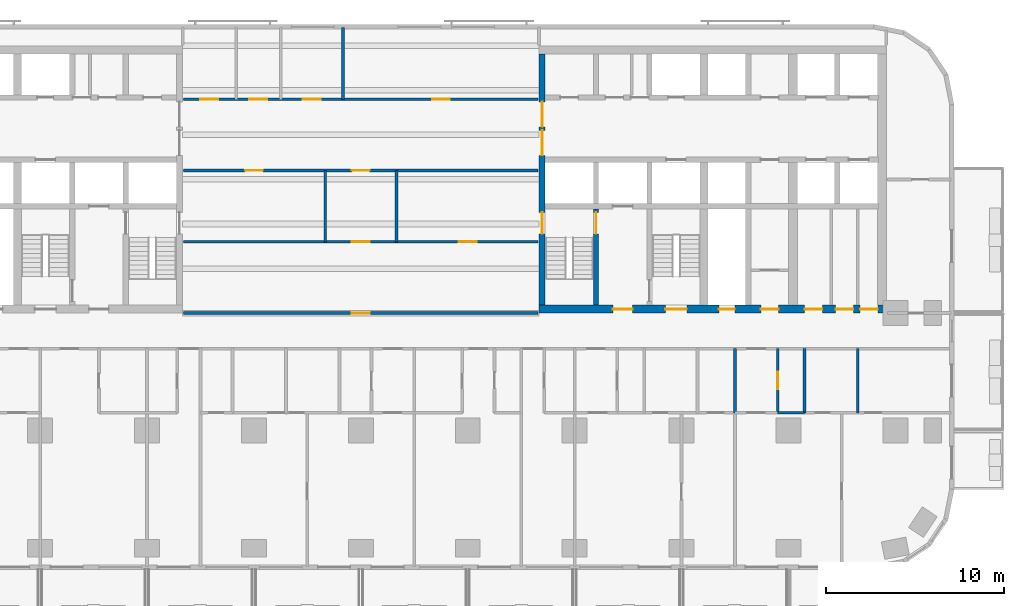
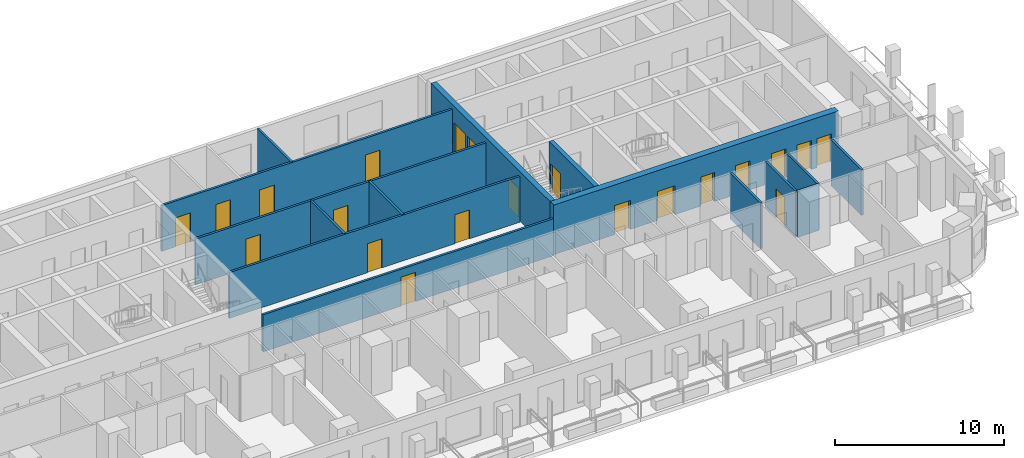
# One storey, part 7 of 15: 21 doors, 15 walls, 21 openings.
"""IFC4 building model written with IfcOpenShell, lengths in metres."""

from ifc_helpers import new_model, si_unit, direction, frame, frame_2d, origin, place, context, subcontext, project, spatial, rectangle, extrude, material, layer, layer_set, type_object, element, fill, save


model = new_model("IFC4")

# Units and contexts
model_context = context("Model", 3, precision=1e-05, world=origin(), true_north=direction((0.0, 1.0)))
body_context = subcontext(model_context, "Body", "Model", "MODEL_VIEW")
ifc_project = project(units=[si_unit("LENGTHUNIT", "METRE"), si_unit("AREAUNIT", "SQUARE_METRE"), si_unit("VOLUMEUNIT", "CUBIC_METRE"), si_unit("PLANEANGLEUNIT", "RADIAN"), si_unit("MASSUNIT", "GRAM", prefix="KILO")], contexts=[model_context])

# Site, building, storey
site_placement = place(None, origin())
site = spatial("IfcSite", under=ifc_project, at=site_placement, CompositionType="ELEMENT")
building_placement = place(site_placement, origin())
building = spatial("IfcBuilding", under=site, at=building_placement, Name="Torana Hotel and Residences", CompositionType="ELEMENT")
storey_placement = place(building_placement, frame((0.0, 0.0, 88.800048828125)))
storey = spatial("IfcBuildingStorey", under=building, at=storey_placement, Name="L22", CompositionType="ELEMENT", Elevation=88.800048828125)

# Wall, opening, door
ifc_material_1 = material(Name="Concrete C80/95", Category="concrete")
ifc_layer_1 = layer(ifc_material_1, 0.300048828125)
ifc_layer_set_1 = layer_set([ifc_layer_1], Name="CORE WALL 300 C80/95")
wall_type_1 = type_object("IfcWallType", Name="CORE WALL 300 C80/95", PredefinedType="SHEAR", material=ifc_layer_set_1)
wall_1_placement = place(storey_placement, frame((13.199951171875, -14.550048828125, 0.0), z_axis=(0.0, 0.0, 1.0), x_axis=(0.0, 1.0, 0.0)))
wall_1 = element("IfcWall", 1, at=wall_1_placement, inside=storey, type_object=wall_type_1, Name="Core wall E x3.05-band", PredefinedType="SHEAR", context=body_context, shape_type="SweptSolid", body=[
    extrude(rectangle(XDim=5.400146484375, YDim=0.300048828125, at=frame_2d((2.7001953125, 0.0))), origin(), (0.0, 0.0, 1.0), 3.599853515625),
])
opening_1_placement = place(wall_1_placement, frame((4.0, 0.0, 0.0)))
opening_1 = element("IfcOpeningElement", 2, at=opening_1_placement, cuts=wall_1, Name="Opening L22-35", PredefinedType="OPENING", context=body_context, shape_type="SweptSolid", body=[
    extrude(rectangle(XDim=1.199951171875, YDim=2.10009765625, at=frame_2d((0.60009765625, 1.050048828125))), frame((0.0, 0.159912109375, 0.0), z_axis=(0.0, -1.0, 0.0), x_axis=(1.0, 0.0, 0.0)), (0.0, 0.0, 1.0), 0.320068359375),
])
ifc_material_2 = material(Name="Steel S235", Category="steel")
door_type_1 = type_object("IfcDoorType", Name="STAIR FIRE DOOR D3 1200x2100", OperationType="SINGLE_SWING_LEFT", PredefinedType="DOOR", material=ifc_material_2)
door_1_placement = place(opening_1_placement, origin())
door_1 = element("IfcDoor", 3, at=door_1_placement, inside=storey, type_object=door_type_1, Name="Stair-A-lobby door L22", OperationType="SINGLE_SWING_LEFT", OverallHeight=2.10009765625, OverallWidth=1.199951171875, PredefinedType="DOOR", context=body_context, shape_type="SweptSolid", body=[
    extrude(rectangle(XDim=1.199951171875, YDim=2.10009765625, at=frame_2d((0.60009765625, 1.050048828125))), frame((0.0, 0.02490234375, 0.0), z_axis=(0.0, -1.0, 0.0), x_axis=(1.0, 0.0, 0.0)), (0.0, 0.0, 1.0), 0.050048828125),
])
fill(opening_1, door_1)

# Wall, openings, doors
ifc_material_3 = material(Name="Concrete C80/95", Category="concrete")
ifc_layer_2 = layer(ifc_material_3, 0.35009765625)
ifc_layer_set_2 = layer_set([ifc_layer_2], Name="CORE WALL 350 C80/95")
wall_type_2 = type_object("IfcWallType", Name="CORE WALL 350 C80/95", PredefinedType="SHEAR", material=ifc_layer_set_2)
wall_2_placement = place(storey_placement, frame((10.175048828125, -14.550048828125, 0.0), z_axis=(0.0, 0.0, 1.0), x_axis=(0.0, 1.0, 0.0)))
wall_2 = element("IfcWall", 4, at=wall_2_placement, inside=storey, type_object=wall_type_2, Name="Core wall E arch", PredefinedType="SHEAR", context=body_context, shape_type="SweptSolid", body=[
    extrude(rectangle(XDim=14.10009765625, YDim=0.35009765625, at=frame_2d((7.050048828125, 0.0))), origin(), (0.0, 0.0, 1.0), 3.599853515625),
])
opening_2_placement = place(wall_2_placement, frame((8.39990234375, 0.0, 0.0)))
opening_2 = element("IfcOpeningElement", 5, at=opening_2_placement, cuts=wall_2, Name="Opening L22-19", PredefinedType="OPENING", context=body_context, shape_type="SweptSolid", body=[
    extrude(rectangle(XDim=1.39990234375, YDim=2.39990234375, at=frame_2d((0.699951171875, 1.199951171875))), frame((0.0, 0.18505859375, 0.0), z_axis=(0.0, -1.0, 0.0), x_axis=(1.0, 0.0, 0.0)), (0.0, 0.0, 1.0), 0.3701171875),
])
opening_3_placement = place(wall_2_placement, frame((10.0, 0.0, 0.0)))
opening_3 = element("IfcOpeningElement", 6, at=opening_3_placement, cuts=wall_2, Name="Opening L22-20", PredefinedType="OPENING", context=body_context, shape_type="SweptSolid", body=[
    extrude(rectangle(XDim=1.39990234375, YDim=2.39990234375, at=frame_2d((0.699951171875, 1.199951171875))), frame((0.0, 0.18505859375, 0.0), z_axis=(0.0, -1.0, 0.0), x_axis=(1.0, 0.0, 0.0)), (0.0, 0.0, 1.0), 0.3701171875),
])
opening_4_placement = place(wall_2_placement, frame((4.0, 0.0, 0.0)))
opening_4 = element("IfcOpeningElement", 7, at=opening_4_placement, cuts=wall_2, Name="Opening L22-21", PredefinedType="OPENING", context=body_context, shape_type="SweptSolid", body=[
    extrude(rectangle(XDim=1.199951171875, YDim=2.10009765625, at=frame_2d((0.60009765625, 1.050048828125))), frame((0.0, 0.18505859375, 0.0), z_axis=(0.0, -1.0, 0.0), x_axis=(1.0, 0.0, 0.0)), (0.0, 0.0, 1.0), 0.3701171875),
])
ifc_material_4 = material(Name="Steel S235", Category="steel")
door_type_2 = type_object("IfcDoorType", Name="LOBBY FIRE DOOR D4 1400x2400", OperationType="DOUBLE_DOOR_SINGLE_SWING", PredefinedType="DOOR", material=ifc_material_4)
door_2_placement = place(opening_2_placement, origin())
door_2 = element("IfcDoor", 8, at=door_2_placement, inside=storey, type_object=door_type_2, Name="Lobby-1 door L22", OperationType="DOUBLE_DOOR_SINGLE_SWING", OverallHeight=2.39990234375, OverallWidth=1.39990234375, PredefinedType="DOOR", context=body_context, shape_type="SweptSolid", body=[
    extrude(rectangle(XDim=1.39990234375, YDim=2.39990234375, at=frame_2d((0.699951171875, 1.199951171875))), frame((0.0, 0.02490234375, 0.0), z_axis=(0.0, -1.0, 0.0), x_axis=(1.0, 0.0, 0.0)), (0.0, 0.0, 1.0), 0.050048828125),
])
fill(opening_2, door_2)
door_3_placement = place(opening_3_placement, origin())
door_3 = element("IfcDoor", 9, at=door_3_placement, inside=storey, type_object=door_type_2, Name="Lobby-2 door L22", OperationType="DOUBLE_DOOR_SINGLE_SWING", OverallHeight=2.39990234375, OverallWidth=1.39990234375, PredefinedType="DOOR", context=body_context, shape_type="SweptSolid", body=[
    extrude(rectangle(XDim=1.39990234375, YDim=2.39990234375, at=frame_2d((0.699951171875, 1.199951171875))), frame((0.0, 0.02490234375, 0.0), z_axis=(0.0, -1.0, 0.0), x_axis=(1.0, 0.0, 0.0)), (0.0, 0.0, 1.0), 0.050048828125),
])
fill(opening_3, door_3)
door_4_placement = place(opening_4_placement, frame((0.60009765625, 0.0, 0.0), z_axis=(0.0, 0.0, 1.0), x_axis=(-1.0, 0.0, 0.0)))
door_4 = element("IfcDoor", 10, at=door_4_placement, inside=storey, type_object=door_type_1, Name="Stair-A door L22", OperationType="SINGLE_SWING_RIGHT", OverallHeight=2.10009765625, OverallWidth=1.199951171875, PredefinedType="DOOR", context=body_context, shape_type="SweptSolid", body=[
    extrude(rectangle(XDim=1.199951171875, YDim=2.10009765625, at=frame_2d((0.0, 1.050048828125))), frame((0.0, -0.02490234375, 0.0), z_axis=(0.0, 1.0, 0.0), x_axis=(-1.0, 0.0, 0.0)), (0.0, 0.0, 1.0), 0.050048828125),
])
fill(opening_4, door_4)

ifc_material_5 = material(Name="Concrete C80/95", Category="concrete")
ifc_layer_3 = layer(ifc_material_5, 0.449951171875)
ifc_layer_set_3 = layer_set([ifc_layer_3], Name="CORE WALL 450 C80/95")
wall_type_3 = type_object("IfcWallType", Name="CORE WALL 450 C80/95", PredefinedType="SHEAR", material=ifc_layer_set_3)
wall_3_placement = place(storey_placement, frame((10.0, -14.77490234375, 0.0), z_axis=(0.0, 0.0, 1.0), x_axis=(1.0, 0.0, 0.0)))
wall_3 = element("IfcWall", 11, at=wall_3_placement, inside=storey, type_object=wall_type_3, Name="Core wall E front", PredefinedType="SHEAR", context=body_context, shape_type="SweptSolid", body=[
    extrude(rectangle(XDim=19.5, YDim=0.449951171875, at=frame_2d((9.75, 0.0))), origin(), (0.0, 0.0, 1.0), 3.599853515625),
])
opening_5_placement = place(wall_3_placement, frame((7.10009765625, 0.0, 0.0)))
opening_5 = element("IfcOpeningElement", 12, at=opening_5_placement, cuts=wall_3, Name="Opening L22-22", PredefinedType="OPENING", context=body_context, shape_type="SweptSolid", body=[
    extrude(rectangle(XDim=1.199951171875, YDim=2.10009765625, at=frame_2d((0.60009765625, 1.050048828125))), frame((0.0, 0.23486328125, 0.0), z_axis=(0.0, -1.0, 0.0), x_axis=(1.0, 0.0, 0.0)), (0.0, 0.0, 1.0), 0.469970703125),
])
opening_6_placement = place(wall_3_placement, frame((4.14990234375, 0.0, 0.0)))
opening_6 = element("IfcOpeningElement", 13, at=opening_6_placement, cuts=wall_3, Name="Opening L22-23", PredefinedType="OPENING", context=body_context, shape_type="SweptSolid", body=[
    extrude(rectangle(XDim=1.10009765625, YDim=2.10009765625, at=frame_2d((0.550048828125, 1.050048828125))), frame((0.0, 0.23486328125, 0.0), z_axis=(0.0, -1.0, 0.0), x_axis=(1.0, 0.0, 0.0)), (0.0, 0.0, 1.0), 0.469970703125),
])
opening_7_placement = place(wall_3_placement, frame((10.10009765625, 0.0, 0.0)))
opening_7 = element("IfcOpeningElement", 14, at=opening_7_placement, cuts=wall_3, Name="Opening L22-24", PredefinedType="OPENING", context=body_context, shape_type="SweptSolid", body=[
    extrude(rectangle(XDim=0.89990234375, YDim=2.10009765625, at=frame_2d((0.449951171875, 1.050048828125))), frame((0.0, 0.23486328125, 0.0), z_axis=(0.0, -1.0, 0.0), x_axis=(1.0, 0.0, 0.0)), (0.0, 0.0, 1.0), 0.469970703125),
])
opening_8_placement = place(wall_3_placement, frame((12.449951171875, 0.0, 0.0)))
opening_8 = element("IfcOpeningElement", 15, at=opening_8_placement, cuts=wall_3, Name="Opening L22-25", PredefinedType="OPENING", context=body_context, shape_type="SweptSolid", body=[
    extrude(rectangle(XDim=1.0, YDim=2.10009765625, at=frame_2d((0.5, 1.050048828125))), frame((0.0, 0.23486328125, 0.0), z_axis=(0.0, -1.0, 0.0), x_axis=(1.0, 0.0, 0.0)), (0.0, 0.0, 1.0), 0.469970703125),
])
opening_9_placement = place(wall_3_placement, frame((14.91259765625, 0.0, 0.0)))
opening_9 = element("IfcOpeningElement", 16, at=opening_9_placement, cuts=wall_3, Name="Opening L22-26", PredefinedType="OPENING", context=body_context, shape_type="SweptSolid", body=[
    extrude(rectangle(XDim=1.0, YDim=2.10009765625, at=frame_2d((0.5, 1.050048828125))), frame((0.0, 0.23486328125, 0.0), z_axis=(0.0, -1.0, 0.0), x_axis=(1.0, 0.0, 0.0)), (0.0, 0.0, 1.0), 0.469970703125),
])
opening_10_placement = place(wall_3_placement, frame((16.64990234375, 0.0, 0.0)))
opening_10 = element("IfcOpeningElement", 17, at=opening_10_placement, cuts=wall_3, Name="Opening L22-27", PredefinedType="OPENING", context=body_context, shape_type="SweptSolid", body=[
    extrude(rectangle(XDim=1.0, YDim=2.10009765625, at=frame_2d((0.5, 1.050048828125))), frame((0.0, 0.23486328125, 0.0), z_axis=(0.0, -1.0, 0.0), x_axis=(1.0, 0.0, 0.0)), (0.0, 0.0, 1.0), 0.469970703125),
])
opening_11_placement = place(wall_3_placement, frame((18.02490234375, 0.0, 0.0)))
opening_11 = element("IfcOpeningElement", 18, at=opening_11_placement, cuts=wall_3, Name="Opening L22-28", PredefinedType="OPENING", context=body_context, shape_type="SweptSolid", body=[
    extrude(rectangle(XDim=1.0, YDim=2.10009765625, at=frame_2d((0.5, 1.050048828125))), frame((0.0, 0.23486328125, 0.0), z_axis=(0.0, -1.0, 0.0), x_axis=(1.0, 0.0, 0.0)), (0.0, 0.0, 1.0), 0.469970703125),
])
ifc_material_6 = material(Name="Steel S235", Category="steel")
door_type_3 = type_object("IfcDoorType", Name="CORE ROOM FIRE DOOR D14 1000x2100", OperationType="SINGLE_SWING_LEFT", PredefinedType="DOOR", material=ifc_material_6)
door_5_placement = place(opening_8_placement, origin())
door_5 = element("IfcDoor", 19, at=door_5_placement, inside=storey, type_object=door_type_3, Name="M-Room-B door L22", OperationType="SINGLE_SWING_RIGHT", OverallHeight=2.10009765625, OverallWidth=1.0, PredefinedType="DOOR", context=body_context, shape_type="SweptSolid", body=[
    extrude(rectangle(XDim=1.0, YDim=2.10009765625, at=frame_2d((0.5, 1.050048828125))), frame((0.0, 0.02490234375, 0.0), z_axis=(0.0, -1.0, 0.0), x_axis=(1.0, 0.0, 0.0)), (0.0, 0.0, 1.0), 0.050048828125),
])
fill(opening_8, door_5)
door_6_placement = place(opening_9_placement, origin())
door_6 = element("IfcDoor", 20, at=door_6_placement, inside=storey, type_object=door_type_3, Name="L-A door L22", OperationType="SINGLE_SWING_RIGHT", OverallHeight=2.10009765625, OverallWidth=1.0, PredefinedType="DOOR", context=body_context, shape_type="SweptSolid", body=[
    extrude(rectangle(XDim=1.0, YDim=2.10009765625, at=frame_2d((0.5, 1.050048828125))), frame((0.0, 0.02490234375, 0.0), z_axis=(0.0, -1.0, 0.0), x_axis=(1.0, 0.0, 0.0)), (0.0, 0.0, 1.0), 0.050048828125),
])
fill(opening_9, door_6)
door_7_placement = place(opening_10_placement, origin())
door_7 = element("IfcDoor", 21, at=door_7_placement, inside=storey, type_object=door_type_3, Name="L-B door L22", OperationType="SINGLE_SWING_RIGHT", OverallHeight=2.10009765625, OverallWidth=1.0, PredefinedType="DOOR", context=body_context, shape_type="SweptSolid", body=[
    extrude(rectangle(XDim=1.0, YDim=2.10009765625, at=frame_2d((0.5, 1.050048828125))), frame((0.0, 0.02490234375, 0.0), z_axis=(0.0, -1.0, 0.0), x_axis=(1.0, 0.0, 0.0)), (0.0, 0.0, 1.0), 0.050048828125),
])
fill(opening_10, door_7)
door_8_placement = place(opening_11_placement, origin())
door_8 = element("IfcDoor", 22, at=door_8_placement, inside=storey, type_object=door_type_3, Name="L-C door L22", OperationType="SINGLE_SWING_RIGHT", OverallHeight=2.10009765625, OverallWidth=1.0, PredefinedType="DOOR", context=body_context, shape_type="SweptSolid", body=[
    extrude(rectangle(XDim=1.0, YDim=2.10009765625, at=frame_2d((0.5, 1.050048828125))), frame((0.0, 0.02490234375, 0.0), z_axis=(0.0, -1.0, 0.0), x_axis=(1.0, 0.0, 0.0)), (0.0, 0.0, 1.0), 0.050048828125),
])
fill(opening_11, door_8)
ifc_material_7 = material(Name="Steel S235", Category="steel")
door_type_4 = type_object("IfcDoorType", Name="FIRE-FIGHTING LOBBY DOOR D8 1100x2100", OperationType="SINGLE_SWING_LEFT", PredefinedType="DOOR", material=ifc_material_7)
door_9_placement = place(opening_6_placement, origin())
door_9 = element("IfcDoor", 23, at=door_9_placement, inside=storey, type_object=door_type_4, Name="FF-lobby door L22", OperationType="SINGLE_SWING_RIGHT", OverallHeight=2.10009765625, OverallWidth=1.10009765625, PredefinedType="DOOR", context=body_context, shape_type="SweptSolid", body=[
    extrude(rectangle(XDim=1.10009765625, YDim=2.10009765625, at=frame_2d((0.550048828125, 1.050048828125))), frame((0.0, 0.02490234375, 0.0), z_axis=(0.0, -1.0, 0.0), x_axis=(1.0, 0.0, 0.0)), (0.0, 0.0, 1.0), 0.050048828125),
])
fill(opening_6, door_9)
ifc_material_8 = material(Name="Steel S235", Category="steel")
door_type_5 = type_object("IfcDoorType", Name="RISER ACCESS DOOR D5 900x2100", OperationType="SINGLE_SWING_LEFT", PredefinedType="DOOR", material=ifc_material_8)
door_10_placement = place(opening_7_placement, origin())
door_10 = element("IfcDoor", 24, at=door_10_placement, inside=storey, type_object=door_type_5, Name="M-Riser door L22", OperationType="SINGLE_SWING_RIGHT", OverallHeight=2.10009765625, OverallWidth=0.89990234375, PredefinedType="DOOR", context=body_context, shape_type="SweptSolid", body=[
    extrude(rectangle(XDim=0.89990234375, YDim=2.10009765625, at=frame_2d((0.449951171875, 1.050048828125))), frame((0.0, 0.02490234375, 0.0), z_axis=(0.0, -1.0, 0.0), x_axis=(1.0, 0.0, 0.0)), (0.0, 0.0, 1.0), 0.050048828125),
])
fill(opening_7, door_10)
door_11_placement = place(opening_5_placement, origin())
door_11 = element("IfcDoor", 25, at=door_11_placement, inside=storey, type_object=door_type_1, Name="Stair-B door L22", OperationType="SINGLE_SWING_RIGHT", OverallHeight=2.10009765625, OverallWidth=1.199951171875, PredefinedType="DOOR", context=body_context, shape_type="SweptSolid", body=[
    extrude(rectangle(XDim=1.199951171875, YDim=2.10009765625, at=frame_2d((0.60009765625, 1.050048828125))), frame((0.0, 0.02490234375, 0.0), z_axis=(0.0, -1.0, 0.0), x_axis=(1.0, 0.0, 0.0)), (0.0, 0.0, 1.0), 0.050048828125),
])
fill(opening_5, door_11)

# Wall, opening, door
ifc_material_9 = material(Name="Gypsum plaster")
ifc_layer_4 = layer(ifc_material_9, 0.014892578125, Name="Plaster", Category="finish")
ifc_material_10 = material(Name="Concrete blockwork", Category="masonry")
ifc_layer_5 = layer(ifc_material_10, 0.1201171875, Name="Blockwork", Category="structure")
ifc_layer_6 = layer(ifc_material_9, 0.014892578125, Name="Plaster", Category="finish")
ifc_layer_set_4 = layer_set([ifc_layer_4, ifc_layer_5, ifc_layer_6], Name="FIRE PARTITION 150 BLOCKWORK")
wall_type_4 = type_object("IfcWallType", Name="FIRE PARTITION 150 BLOCKWORK", PredefinedType="PARTITIONING", material=ifc_layer_set_4)
wall_4_placement = place(storey_placement, frame((23.39990234375, -20.60009765625, 0.0), z_axis=(0.0, 0.0, 1.0), x_axis=(0.0, 1.0, 0.0)))
wall_4 = element("IfcWall", 26, at=wall_4_placement, inside=storey, type_object=wall_type_4, Name="Partition L22", PredefinedType="PARTITIONING", context=body_context, shape_type="SweptSolid", body=[
    extrude(rectangle(XDim=3.60009765625, YDim=0.14990234375, at=frame_2d((1.800048828125, 0.0))), origin(), (0.0, 0.0, 1.0), 3.320068359375),
])
opening_12_placement = place(wall_4_placement, frame((1.320068359375, 0.0, 0.0)))
opening_12 = element("IfcOpeningElement", 27, at=opening_12_placement, cuts=wall_4, Name="Opening L22-79", PredefinedType="OPENING", context=body_context, shape_type="SweptSolid", body=[
    extrude(rectangle(XDim=1.0, YDim=2.10009765625, at=frame_2d((0.5, 1.050048828125))), frame((0.0, 0.0849609375, 0.0), z_axis=(0.0, -1.0, 0.0), x_axis=(1.0, 0.0, 0.0)), (0.0, 0.0, 1.0), 0.169921875),
])
ifc_material_11 = material(Name="Steel S235", Category="steel")
door_type_6 = type_object("IfcDoorType", Name="ENTRY FIRE DOOR D6 1000x2100", OperationType="SINGLE_SWING_LEFT", PredefinedType="DOOR", material=ifc_material_11)
door_12_placement = place(opening_12_placement, frame((0.5, 0.0, 0.0), z_axis=(0.0, 0.0, 1.0), x_axis=(-1.0, 0.0, 0.0)))
door_12 = element("IfcDoor", 28, at=door_12_placement, inside=storey, type_object=door_type_6, Name="Door L22", OperationType="SINGLE_SWING_LEFT", OverallHeight=2.10009765625, OverallWidth=1.0, PredefinedType="DOOR", context=body_context, shape_type="SweptSolid", body=[
    extrude(rectangle(XDim=1.0, YDim=2.10009765625, at=frame_2d((0.0, 1.050048828125))), frame((0.0, -0.02490234375, 0.0), z_axis=(0.0, 1.0, 0.0), x_axis=(-1.0, 0.0, 0.0)), (0.0, 0.0, 1.0), 0.050048828125),
])
fill(opening_12, door_12)

# Walls
wall_5_placement = place(storey_placement, frame((21.0, -20.60009765625, 0.0), z_axis=(0.0, 0.0, 1.0), x_axis=(0.0, 1.0, 0.0)))
element("IfcWall", 29, at=wall_5_placement, inside=storey, type_object=wall_type_4, Name="Partition L22", PredefinedType="PARTITIONING", context=body_context, shape_type="SweptSolid", body=[
    extrude(rectangle(XDim=3.60009765625, YDim=0.14990234375, at=frame_2d((1.800048828125, 0.0))), origin(), (0.0, 0.0, 1.0), 3.320068359375),
])
for number, where, z_axis, x_axis, name in (
    (30, (2.0, -11.0, 0.0), (0.0, 0.0, 1.0), (0.0, 1.0, 0.0), "Partition L22"),
    (31, (-2.0, -11.0, 0.0), (0.0, 0.0, 1.0), (0.0, 1.0, 0.0), "Partition L22"),
):
    element("IfcWall", number, at=place(storey_placement, frame(where, z_axis=z_axis, x_axis=x_axis)), inside=storey, type_object=wall_type_4, Name=name, PredefinedType="PARTITIONING", context=body_context, shape_type="SweptSolid", body=[
        extrude(rectangle(XDim=4.0, YDim=0.14990234375, at=frame_2d((2.0, 0.0))), origin(), (0.0, 0.0, 1.0), 3.320068359375),
    ])

# Wall, opening, door
wall_6_placement = place(storey_placement, frame((-9.949951171875, -15.0, 0.0), z_axis=(0.0, 0.0, 1.0), x_axis=(1.0, 0.0, 0.0)))
wall_6 = element("IfcWall", 32, at=wall_6_placement, inside=storey, type_object=wall_type_4, Name="Partition L22", PredefinedType="PARTITIONING", context=body_context, shape_type="SweptSolid", body=[
    extrude(rectangle(XDim=19.89990234375, YDim=0.14990234375, at=frame_2d((9.949951171875, 0.0))), origin(), (0.0, 0.0, 1.0), 2.683837890625),
])
opening_13_placement = place(wall_6_placement, frame((9.449951171875, 0.0, 0.0)))
opening_13 = element("IfcOpeningElement", 33, at=opening_13_placement, cuts=wall_6, Name="Opening L22-39", PredefinedType="OPENING", context=body_context, shape_type="SweptSolid", body=[
    extrude(rectangle(XDim=1.0, YDim=2.10009765625, at=frame_2d((0.5, 1.050048828125))), frame((0.0, 0.0849609375, 0.0), z_axis=(0.0, -1.0, 0.0), x_axis=(1.0, 0.0, 0.0)), (0.0, 0.0, 1.0), 0.169921875),
])
door_13_placement = place(opening_13_placement, origin())
door_13 = element("IfcDoor", 34, at=door_13_placement, inside=storey, type_object=door_type_6, Name="Door L22", OperationType="SINGLE_SWING_RIGHT", OverallHeight=2.10009765625, OverallWidth=1.0, PredefinedType="DOOR", context=body_context, shape_type="SweptSolid", body=[
    extrude(rectangle(XDim=1.0, YDim=2.10009765625, at=frame_2d((0.5, 1.050048828125))), frame((0.0, 0.02490234375, 0.0), z_axis=(0.0, -1.0, 0.0), x_axis=(1.0, 0.0, 0.0)), (0.0, 0.0, 1.0), 0.050048828125),
])
fill(opening_13, door_13)

# Wall, openings, doors
wall_7_placement = place(storey_placement, frame((-9.949951171875, -11.0, 0.0), z_axis=(0.0, 0.0, 1.0), x_axis=(1.0, 0.0, 0.0)))
wall_7 = element("IfcWall", 35, at=wall_7_placement, inside=storey, type_object=wall_type_4, Name="Partition L22", PredefinedType="PARTITIONING", context=body_context, shape_type="SweptSolid", body=[
    extrude(rectangle(XDim=19.89990234375, YDim=0.14990234375, at=frame_2d((9.949951171875, 0.0))), origin(), (0.0, 0.0, 1.0), 3.320068359375),
])
opening_14_placement = place(wall_7_placement, frame((9.449951171875, 0.0, 0.0)))
opening_14 = element("IfcOpeningElement", 36, at=opening_14_placement, cuts=wall_7, Name="Opening L22-50", PredefinedType="OPENING", context=body_context, shape_type="SweptSolid", body=[
    extrude(rectangle(XDim=1.0, YDim=2.10009765625, at=frame_2d((0.5, 1.050048828125))), frame((0.0, 0.0849609375, 0.0), z_axis=(0.0, -1.0, 0.0), x_axis=(1.0, 0.0, 0.0)), (0.0, 0.0, 1.0), 0.169921875),
])
opening_15_placement = place(wall_7_placement, frame((15.449951171875, 0.0, 0.0)))
opening_15 = element("IfcOpeningElement", 37, at=opening_15_placement, cuts=wall_7, Name="Opening L22-51", PredefinedType="OPENING", context=body_context, shape_type="SweptSolid", body=[
    extrude(rectangle(XDim=1.0, YDim=2.10009765625, at=frame_2d((0.5, 1.050048828125))), frame((0.0, 0.0849609375, 0.0), z_axis=(0.0, -1.0, 0.0), x_axis=(1.0, 0.0, 0.0)), (0.0, 0.0, 1.0), 0.169921875),
])
door_14_placement = place(opening_14_placement, origin())
door_14 = element("IfcDoor", 38, at=door_14_placement, inside=storey, type_object=door_type_6, Name="Door L22", OperationType="SINGLE_SWING_RIGHT", OverallHeight=2.10009765625, OverallWidth=1.0, PredefinedType="DOOR", context=body_context, shape_type="SweptSolid", body=[
    extrude(rectangle(XDim=1.0, YDim=2.10009765625, at=frame_2d((0.5, 1.050048828125))), frame((0.0, 0.02490234375, 0.0), z_axis=(0.0, -1.0, 0.0), x_axis=(1.0, 0.0, 0.0)), (0.0, 0.0, 1.0), 0.050048828125),
])
fill(opening_14, door_14)
door_15_placement = place(opening_15_placement, origin())
door_15 = element("IfcDoor", 39, at=door_15_placement, inside=storey, type_object=door_type_6, Name="Door L22", OperationType="SINGLE_SWING_RIGHT", OverallHeight=2.10009765625, OverallWidth=1.0, PredefinedType="DOOR", context=body_context, shape_type="SweptSolid", body=[
    extrude(rectangle(XDim=1.0, YDim=2.10009765625, at=frame_2d((0.5, 1.050048828125))), frame((0.0, 0.02490234375, 0.0), z_axis=(0.0, -1.0, 0.0), x_axis=(1.0, 0.0, 0.0)), (0.0, 0.0, 1.0), 0.050048828125),
])
fill(opening_15, door_15)

wall_8_placement = place(storey_placement, frame((-9.949951171875, -7.0, 0.0), z_axis=(0.0, 0.0, 1.0), x_axis=(1.0, 0.0, 0.0)))
wall_8 = element("IfcWall", 40, at=wall_8_placement, inside=storey, type_object=wall_type_4, Name="Partition L22", PredefinedType="PARTITIONING", context=body_context, shape_type="SweptSolid", body=[
    extrude(rectangle(XDim=19.89990234375, YDim=0.14990234375, at=frame_2d((9.949951171875, 0.0))), origin(), (0.0, 0.0, 1.0), 3.320068359375),
])
opening_16_placement = place(wall_8_placement, frame((9.449951171875, 0.0, 0.0)))
opening_16 = element("IfcOpeningElement", 41, at=opening_16_placement, cuts=wall_8, Name="Opening L22-52", PredefinedType="OPENING", context=body_context, shape_type="SweptSolid", body=[
    extrude(rectangle(XDim=1.0, YDim=2.10009765625, at=frame_2d((0.5, 1.050048828125))), frame((0.0, 0.0849609375, 0.0), z_axis=(0.0, -1.0, 0.0), x_axis=(1.0, 0.0, 0.0)), (0.0, 0.0, 1.0), 0.169921875),
])
opening_17_placement = place(wall_8_placement, frame((3.449951171875, 0.0, 0.0)))
opening_17 = element("IfcOpeningElement", 42, at=opening_17_placement, cuts=wall_8, Name="Opening L22-53", PredefinedType="OPENING", context=body_context, shape_type="SweptSolid", body=[
    extrude(rectangle(XDim=1.0, YDim=2.10009765625, at=frame_2d((0.5, 1.050048828125))), frame((0.0, 0.0849609375, 0.0), z_axis=(0.0, -1.0, 0.0), x_axis=(1.0, 0.0, 0.0)), (0.0, 0.0, 1.0), 0.169921875),
])
door_16_placement = place(opening_16_placement, origin())
door_16 = element("IfcDoor", 43, at=door_16_placement, inside=storey, type_object=door_type_6, Name="Door L22", OperationType="SINGLE_SWING_RIGHT", OverallHeight=2.10009765625, OverallWidth=1.0, PredefinedType="DOOR", context=body_context, shape_type="SweptSolid", body=[
    extrude(rectangle(XDim=1.0, YDim=2.10009765625, at=frame_2d((0.5, 1.050048828125))), frame((0.0, 0.02490234375, 0.0), z_axis=(0.0, -1.0, 0.0), x_axis=(1.0, 0.0, 0.0)), (0.0, 0.0, 1.0), 0.050048828125),
])
fill(opening_16, door_16)
door_17_placement = place(opening_17_placement, frame((0.5, 0.0, 0.0), z_axis=(0.0, 0.0, 1.0), x_axis=(-1.0, 0.0, 0.0)))
door_17 = element("IfcDoor", 44, at=door_17_placement, inside=storey, type_object=door_type_6, Name="Door L22", OperationType="SINGLE_SWING_LEFT", OverallHeight=2.10009765625, OverallWidth=1.0, PredefinedType="DOOR", context=body_context, shape_type="SweptSolid", body=[
    extrude(rectangle(XDim=1.0, YDim=2.10009765625, at=frame_2d((0.0, 1.050048828125))), frame((0.0, -0.02490234375, 0.0), z_axis=(0.0, 1.0, 0.0), x_axis=(-1.0, 0.0, 0.0)), (0.0, 0.0, 1.0), 0.050048828125),
])
fill(opening_17, door_17)

wall_9_placement = place(storey_placement, frame((-9.949951171875, -3.0, 0.0), z_axis=(0.0, 0.0, 1.0), x_axis=(1.0, 0.0, 0.0)))
wall_9 = element("IfcWall", 45, at=wall_9_placement, inside=storey, type_object=wall_type_4, Name="Partition L22", PredefinedType="PARTITIONING", context=body_context, shape_type="SweptSolid", body=[
    extrude(rectangle(XDim=19.89990234375, YDim=0.14990234375, at=frame_2d((9.949951171875, 0.0))), origin(), (0.0, 0.0, 1.0), 3.320068359375),
])
opening_18_placement = place(wall_9_placement, frame((0.949951171875, 0.0, 0.0)))
opening_18 = element("IfcOpeningElement", 46, at=opening_18_placement, cuts=wall_9, Name="Opening L22-54", PredefinedType="OPENING", context=body_context, shape_type="SweptSolid", body=[
    extrude(rectangle(XDim=1.0, YDim=2.10009765625, at=frame_2d((0.5, 1.050048828125))), frame((0.0, 0.0849609375, 0.0), z_axis=(0.0, -1.0, 0.0), x_axis=(1.0, 0.0, 0.0)), (0.0, 0.0, 1.0), 0.169921875),
])
opening_19_placement = place(wall_9_placement, frame((3.699951171875, 0.0, 0.0)))
opening_19 = element("IfcOpeningElement", 47, at=opening_19_placement, cuts=wall_9, Name="Opening L22-55", PredefinedType="OPENING", context=body_context, shape_type="SweptSolid", body=[
    extrude(rectangle(XDim=1.0, YDim=2.10009765625, at=frame_2d((0.5, 1.050048828125))), frame((0.0, 0.0849609375, 0.0), z_axis=(0.0, -1.0, 0.0), x_axis=(1.0, 0.0, 0.0)), (0.0, 0.0, 1.0), 0.169921875),
])
opening_20_placement = place(wall_9_placement, frame((6.699951171875, 0.0, 0.0)))
opening_20 = element("IfcOpeningElement", 48, at=opening_20_placement, cuts=wall_9, Name="Opening L22-56", PredefinedType="OPENING", context=body_context, shape_type="SweptSolid", body=[
    extrude(rectangle(XDim=1.0, YDim=2.10009765625, at=frame_2d((0.5, 1.050048828125))), frame((0.0, 0.0849609375, 0.0), z_axis=(0.0, -1.0, 0.0), x_axis=(1.0, 0.0, 0.0)), (0.0, 0.0, 1.0), 0.169921875),
])
opening_21_placement = place(wall_9_placement, frame((13.949951171875, 0.0, 0.0)))
opening_21 = element("IfcOpeningElement", 49, at=opening_21_placement, cuts=wall_9, Name="Opening L22-57", PredefinedType="OPENING", context=body_context, shape_type="SweptSolid", body=[
    extrude(rectangle(XDim=1.0, YDim=2.10009765625, at=frame_2d((0.5, 1.050048828125))), frame((0.0, 0.0849609375, 0.0), z_axis=(0.0, -1.0, 0.0), x_axis=(1.0, 0.0, 0.0)), (0.0, 0.0, 1.0), 0.169921875),
])
door_18_placement = place(opening_18_placement, origin())
door_18 = element("IfcDoor", 50, at=door_18_placement, inside=storey, type_object=door_type_6, Name="Door L22", OperationType="SINGLE_SWING_RIGHT", OverallHeight=2.10009765625, OverallWidth=1.0, PredefinedType="DOOR", context=body_context, shape_type="SweptSolid", body=[
    extrude(rectangle(XDim=1.0, YDim=2.10009765625, at=frame_2d((0.5, 1.050048828125))), frame((0.0, 0.02490234375, 0.0), z_axis=(0.0, -1.0, 0.0), x_axis=(1.0, 0.0, 0.0)), (0.0, 0.0, 1.0), 0.050048828125),
])
fill(opening_18, door_18)
door_19_placement = place(opening_19_placement, origin())
door_19 = element("IfcDoor", 51, at=door_19_placement, inside=storey, type_object=door_type_6, Name="Door L22", OperationType="SINGLE_SWING_RIGHT", OverallHeight=2.10009765625, OverallWidth=1.0, PredefinedType="DOOR", context=body_context, shape_type="SweptSolid", body=[
    extrude(rectangle(XDim=1.0, YDim=2.10009765625, at=frame_2d((0.5, 1.050048828125))), frame((0.0, 0.02490234375, 0.0), z_axis=(0.0, -1.0, 0.0), x_axis=(1.0, 0.0, 0.0)), (0.0, 0.0, 1.0), 0.050048828125),
])
fill(opening_19, door_19)
door_20_placement = place(opening_20_placement, origin())
door_20 = element("IfcDoor", 52, at=door_20_placement, inside=storey, type_object=door_type_6, Name="Door L22", OperationType="SINGLE_SWING_RIGHT", OverallHeight=2.10009765625, OverallWidth=1.0, PredefinedType="DOOR", context=body_context, shape_type="SweptSolid", body=[
    extrude(rectangle(XDim=1.0, YDim=2.10009765625, at=frame_2d((0.5, 1.050048828125))), frame((0.0, 0.02490234375, 0.0), z_axis=(0.0, -1.0, 0.0), x_axis=(1.0, 0.0, 0.0)), (0.0, 0.0, 1.0), 0.050048828125),
])
fill(opening_20, door_20)
door_21_placement = place(opening_21_placement, origin())
door_21 = element("IfcDoor", 53, at=door_21_placement, inside=storey, type_object=door_type_6, Name="Door L22", OperationType="SINGLE_SWING_RIGHT", OverallHeight=2.10009765625, OverallWidth=1.0, PredefinedType="DOOR", context=body_context, shape_type="SweptSolid", body=[
    extrude(rectangle(XDim=1.0, YDim=2.10009765625, at=frame_2d((0.5, 1.050048828125))), frame((0.0, 0.02490234375, 0.0), z_axis=(0.0, -1.0, 0.0), x_axis=(1.0, 0.0, 0.0)), (0.0, 0.0, 1.0), 0.050048828125),
])
fill(opening_21, door_21)

# Walls
ifc_material_12 = material(Name="Gypsum plasterboard")
ifc_layer_7 = layer(ifc_material_12, 0.012451171875, Name="Plasterboard", Category="finish")
ifc_layer_8 = layer(ifc_material_12, 0.012451171875, Name="Plasterboard", Category="finish")
ifc_material_13 = material(Name="Steel S280GD", Category="steel")
ifc_layer_9 = layer(ifc_material_13, 0.10009765625, Name="Steel studs with mineral wool", Category="insulation")
ifc_layer_10 = layer(ifc_material_12, 0.012451171875, Name="Plasterboard", Category="finish")
ifc_layer_11 = layer(ifc_material_12, 0.012451171875, Name="Plasterboard", Category="finish")
ifc_layer_set_5 = layer_set([ifc_layer_7, ifc_layer_8, ifc_layer_9, ifc_layer_10, ifc_layer_11], Name="PARTITION 150 PLASTERBOARD")
wall_type_5 = type_object("IfcWallType", Name="PARTITION 150 PLASTERBOARD", PredefinedType="PARTITIONING", material=ifc_layer_set_5)
wall_10_placement = place(storey_placement, frame((27.89990234375, -20.60009765625, 0.0), z_axis=(0.0, 0.0, 1.0), x_axis=(0.0, 1.0, 0.0)))
element("IfcWall", 54, at=wall_10_placement, inside=storey, type_object=wall_type_5, Name="Partition L22", PredefinedType="PARTITIONING", context=body_context, shape_type="SweptSolid", body=[
    extrude(rectangle(XDim=3.60009765625, YDim=0.14990234375, at=frame_2d((1.800048828125, 0.0))), origin(), (0.0, 0.0, 1.0), 3.320068359375),
])
wall_11_placement = place(storey_placement, frame((-1.0, -3.0, 0.0), z_axis=(0.0, 0.0, 1.0), x_axis=(0.0, 1.0, 0.0)))
element("IfcWall", 55, at=wall_11_placement, inside=storey, type_object=wall_type_5, Name="Partition L22", PredefinedType="PARTITIONING", context=body_context, shape_type="SweptSolid", body=[
    extrude(rectangle(XDim=4.02001953125, YDim=0.14990234375, at=frame_2d((2.010009765625, 0.0))), origin(), (0.0, 0.0, 1.0), 3.320068359375),
])
ifc_material_14 = material(Name="Ceramic tile on adhesive")
ifc_layer_12 = layer(ifc_material_14, 0.010009765625, Name="Wall tile", Category="finish")
ifc_material_15 = material(Name="Cement render")
ifc_layer_13 = layer(ifc_material_15, 0.010009765625, Name="Render", Category="finish")
ifc_layer_14 = layer(ifc_material_10, 0.110107421875, Name="Blockwork", Category="structure")
ifc_layer_15 = layer(ifc_material_15, 0.010009765625, Name="Render", Category="finish")
ifc_layer_16 = layer(ifc_material_14, 0.010009765625, Name="Wall tile", Category="finish")
ifc_layer_set_6 = layer_set([ifc_layer_12, ifc_layer_13, ifc_layer_14, ifc_layer_15, ifc_layer_16], Name="WC PARTITION 150")
wall_type_6 = type_object("IfcWallType", Name="WC PARTITION 150", PredefinedType="PLUMBINGWALL", material=ifc_layer_set_6)
wall_12_placement = place(storey_placement, frame((24.89990234375, -20.60009765625, 0.0), z_axis=(0.0, 0.0, 1.0), x_axis=(0.0, 1.0, 0.0)))
element("IfcWall", 56, at=wall_12_placement, inside=storey, type_object=wall_type_6, Name="Partition L22", PredefinedType="PLUMBINGWALL", context=body_context, shape_type="SweptSolid", body=[
    extrude(rectangle(XDim=3.60009765625, YDim=0.14990234375, at=frame_2d((1.800048828125, 0.0))), origin(), (0.0, 0.0, 1.0), 3.320068359375),
])
wall_13_placement = place(storey_placement, frame((23.39990234375, -20.60009765625, 0.0), z_axis=(0.0, 0.0, 1.0), x_axis=(1.0, 0.0, 0.0)))
element("IfcWall", 57, at=wall_13_placement, inside=storey, type_object=wall_type_6, Name="Partition L22", PredefinedType="PLUMBINGWALL", context=body_context, shape_type="SweptSolid", body=[
    extrude(rectangle(XDim=1.5, YDim=0.14990234375, at=frame_2d((0.75, 0.0))), origin(), (0.0, 0.0, 1.0), 3.320068359375),
])

save(model, "model.ifc")
